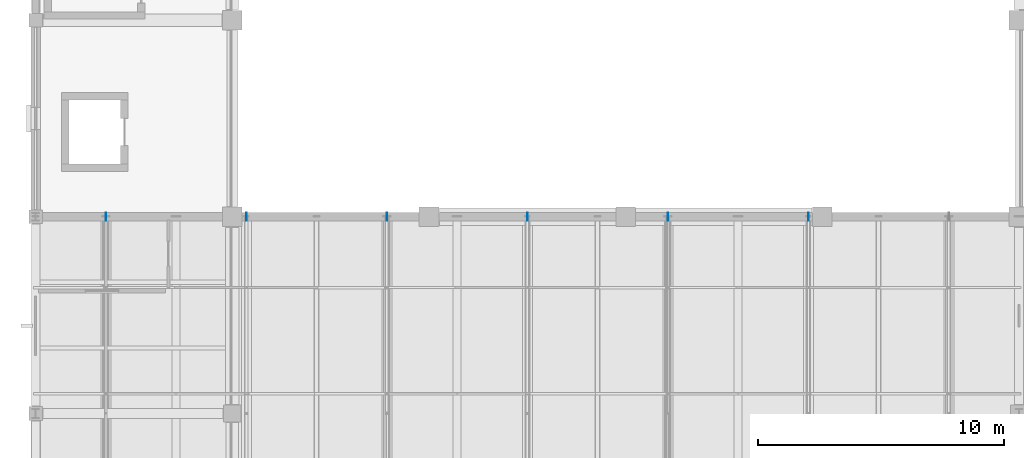
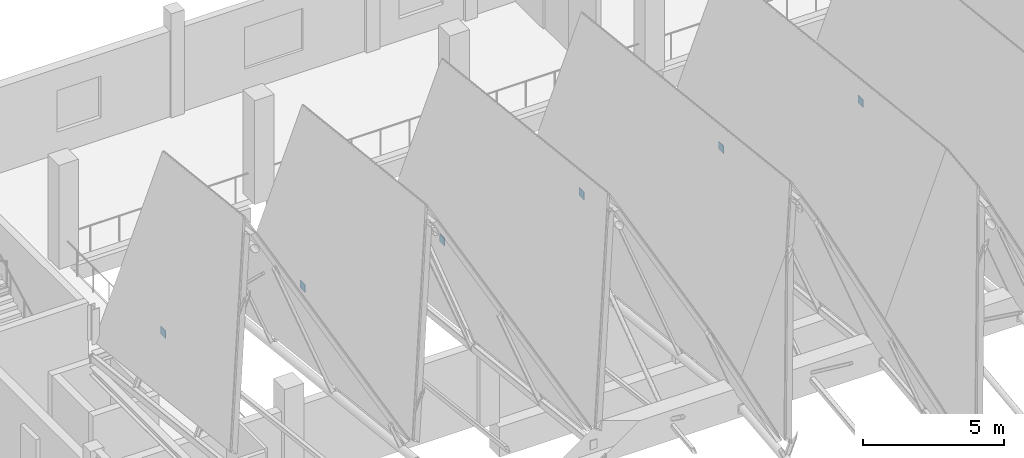
# One storey, part 36 of 77: 6 plates.
"""IFC4 building model written with IfcOpenShell, lengths in metres."""

from ifc_helpers import new_model, si_unit, direction, frame, origin, origin_2d, place, context, subcontext, project, spatial, rectangle, extrude, material, layer, layer_set, type_object, element, save


model = new_model("IFC4")

# Units and contexts
model_context = context("Model", 3, precision=1e-05, world=origin(), true_north=direction((0.0, 1.0)))
body_context = subcontext(model_context, "Body", "Model", "MODEL_VIEW")
ifc_project = project(units=[si_unit("LENGTHUNIT", "METRE"), si_unit("AREAUNIT", "SQUARE_METRE"), si_unit("VOLUMEUNIT", "CUBIC_METRE"), si_unit("PLANEANGLEUNIT", "RADIAN"), si_unit("MASSUNIT", "GRAM", prefix="KILO")], contexts=[model_context])

# Site, building, storey
site_placement = place(None, origin())
site = spatial("IfcSite", under=ifc_project, at=site_placement, CompositionType="ELEMENT")
building_placement = place(site_placement, origin())
building = spatial("IfcBuilding", under=site, at=building_placement, Name="Luwemba Playhouse", CompositionType="ELEMENT")
storey_placement = place(building_placement, frame((0.0, 0.0, 9.300048828125)))
storey = spatial("IfcBuildingStorey", under=building, at=storey_placement, Name="L02", CompositionType="ELEMENT", Elevation=9.300048828125)

# Plates
ifc_material = material(Name="Steel S355", Category="steel")
ifc_layer = layer(ifc_material, 0.01611328125)
ifc_layer_set = layer_set([ifc_layer], Name="Steel S355")
plate_type = type_object("IfcPlateType", Name="PLT-GP1", PredefinedType="USERDEFINED", material=ifc_layer_set)
for number, where, z_axis, x_axis, name in (
    (1, (6.857177734375, 68.0, 8.22998046875), (0.0, 0.0, 1.0), (1.0, 0.0, 0.0), "Truss node gusset cap plate 0003"),
    (2, (12.5712890625, 68.0, 8.22998046875), (0.0, 0.0, 1.0), (1.0, 0.0, 0.0), "Truss node gusset cap plate 0006"),
    (3, (18.28564453125, 68.0, 8.22998046875), (0.0, 0.0, 1.0), (1.0, 0.0, 0.0), "Truss node gusset cap plate 0009"),
    (4, (24.0, 68.0, 8.22998046875), (0.0, 0.0, 1.0), (1.0, 0.0, 0.0), "Truss node gusset cap plate 0012"),
    (5, (29.71435546875, 68.0, 8.22998046875), (0.0, 0.0, 1.0), (1.0, 0.0, 0.0), "Truss node gusset cap plate 0015"),
    (6, (35.4287109375, 68.0, 8.22998046875), (0.0, 0.0, 1.0), (1.0, 0.0, 0.0), "Truss node gusset cap plate 0018"),
):
    element("IfcPlate", number, at=place(storey_placement, frame(where, z_axis=z_axis, x_axis=x_axis)), inside=storey, type_object=plate_type, Name=name, ObjectType="GUSSET PLATE", PredefinedType="USERDEFINED", context=body_context, shape_type="SweptSolid", body=[
        extrude(rectangle(XDim=0.01611328125, YDim=0.340087890625, at=origin_2d()), origin(), (0.0, 0.0, 1.0), 0.340087890625),
    ])

save(model, "model.ifc")
